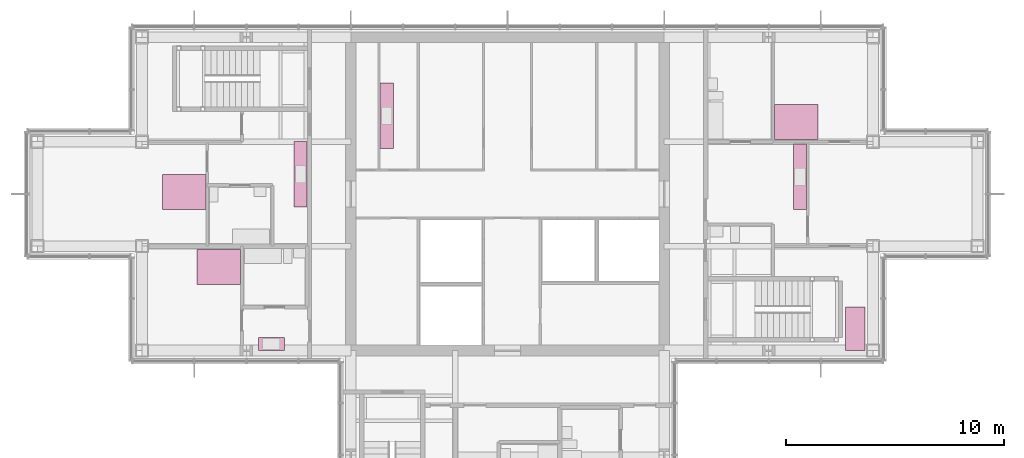
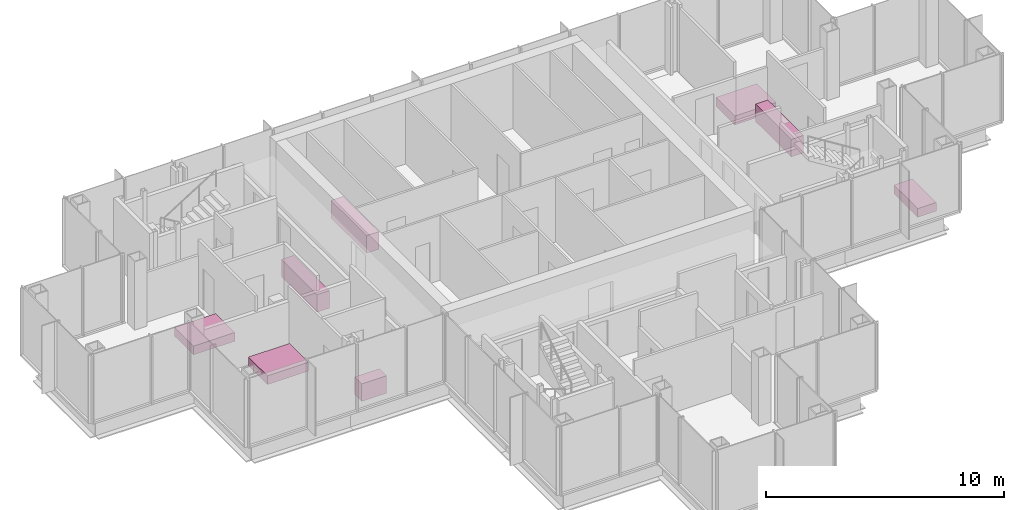
# One storey, part 15 of 15: 8 furniture elements.
"""IFC4 building model written with IfcOpenShell, lengths in metres."""

import ifcopenshell
import ifcopenshell.guid

model = None  # the IFC model being written
_history = None  # IfcOwnerHistory: only IFC2X3 demands one
_inside = {}  # id of a spatial element -> (the spatial element, [elements in it])
_under = {}  # id of a project, library or spatial element -> (it, [spatial elements below it])
_declared = {}  # id of a project -> (the project, [libraries it declares])
_typed = {}  # id of a type object -> (the type object, [elements of that type])
_made_of = {}  # id of a material, layer set ... -> (it, [elements and type objects made of it])


def new_model(schema):
    """Start an empty IFC model of exactly this schema.

    Asked for "IFC4X3", IfcOpenShell would pick the latest addendum, in which some entities
    have other attributes; the version numbers below select the first issue.
    IFC2X3 requires an IfcOwnerHistory on every rooted entity: one is made here for all.
    """
    global model, _history
    if schema == "IFC4X3":
        model = ifcopenshell.file(schema_version=(4, 3, 0, 0))
    else:
        model = ifcopenshell.file(schema=schema)
    _inside.clear()
    _under.clear()
    _declared.clear()
    _typed.clear()
    _made_of.clear()
    _history = None
    if model.schema == "IFC2X3":
        org = make("IfcOrganization", Name="unknown")
        user = make(
            "IfcPersonAndOrganization",
            ThePerson=make("IfcPerson", FamilyName="unknown"),
            TheOrganization=org,
        )
        app = make(
            "IfcApplication",
            ApplicationDeveloper=org,
            Version="unknown",
            ApplicationFullName="unknown",
            ApplicationIdentifier="unknown",
        )
        _history = make(
            "IfcOwnerHistory",
            OwningUser=user,
            OwningApplication=app,
            ChangeAction="ADDED",
            CreationDate=0,
        )
    return model


def make(cls, **values):
    """One entity of the class cls with the attributes given. An attribute that is None is left unset."""
    return model.create_entity(
        cls, **{name: value for name, value in values.items() if value is not None}
    )


def rooted(cls, **values):
    """An entity with a GlobalId (a new one), such as an element, a storey or a relation."""
    return make(cls, GlobalId=ifcopenshell.guid.new(), OwnerHistory=_history, **values)


def si_unit(unit_type, name, prefix=None):
    """IfcSIUnit, for example si_unit("LENGTHUNIT", "METRE", prefix="MILLI")."""
    return make("IfcSIUnit", UnitType=unit_type, Prefix=prefix, Name=name)


def assignment(units):
    """IfcUnitAssignment: the units of a project."""
    return None if units is None else make("IfcUnitAssignment", Units=units)


def point(xyz):
    """IfcCartesianPoint."""
    return None if xyz is None else make("IfcCartesianPoint", Coordinates=xyz)


def direction(xyz):
    """IfcDirection."""
    return None if xyz is None else make("IfcDirection", DirectionRatios=xyz)


def frame(location, z_axis=None, x_axis=None):
    """IfcAxis2Placement3D, a coordinate frame: its origin and axes. An axis left out is left unset."""
    return make(
        "IfcAxis2Placement3D",
        Location=point(location),
        Axis=direction(z_axis),
        RefDirection=direction(x_axis),
    )


def frame_2d(location, x_axis=None):
    """IfcAxis2Placement2D, a coordinate frame in the plane: its origin and x axis."""
    return make(
        "IfcAxis2Placement2D", Location=point(location), RefDirection=direction(x_axis)
    )


def origin():
    """The frame at (0, 0, 0) with its axes left unset."""
    return frame((0.0, 0.0, 0.0))


def origin_2d():
    """The frame at (0, 0) in the plane with its x axis left unset."""
    return frame_2d((0.0, 0.0))


def place(relative_to, where):
    """IfcLocalPlacement: puts the frame where relative to a parent placement (None: the world)."""
    return make(
        "IfcLocalPlacement", PlacementRelTo=relative_to, RelativePlacement=where
    )


def context(
    kind, dimensions, precision=None, world=None, true_north=None, identifier=None
):
    """IfcGeometricRepresentationContext, for example the 3D "Model" context."""
    return make(
        "IfcGeometricRepresentationContext",
        ContextIdentifier=identifier,
        ContextType=kind,
        CoordinateSpaceDimension=dimensions,
        Precision=precision,
        WorldCoordinateSystem=world,
        TrueNorth=true_north,
    )


def subcontext(parent, identifier, kind, view, scale=None):
    """IfcGeometricRepresentationSubContext, for example "Body" below "Model"."""
    return make(
        "IfcGeometricRepresentationSubContext",
        ContextIdentifier=identifier,
        ContextType=kind,
        ParentContext=parent,
        TargetScale=scale,
        TargetView=view,
    )


def project(units=None, contexts=None):
    """IfcProject with its units and contexts."""
    return rooted(
        "IfcProject",
        Name="project",
        RepresentationContexts=contexts,
        UnitsInContext=assignment(units),
    )


def spatial(cls, under=None, at=None, **own):
    """A site, building, storey or space (cls), placed at a placement, below another one or the project."""
    s = rooted(cls, ObjectPlacement=at, **own)
    if under is not None:
        _under.setdefault(under.id(), (under, []))[1].append(s)
    return s


def profile(cls, at=None, kind="AREA", **sizes):
    """A parametric profile (cls). Its sizes go by their IFC names, for example OverallWidth=200.0."""
    return make(cls, ProfileType=kind, Position=at, **sizes)


def rectangle(**sizes):
    """IfcRectangleProfileDef."""
    return profile("IfcRectangleProfileDef", **sizes)


def extrude(swept, where, along, depth):
    """IfcExtrudedAreaSolid: the profile swept, set in the frame where, extruded along a direction by depth."""
    return make(
        "IfcExtrudedAreaSolid",
        SweptArea=swept,
        Position=where,
        ExtrudedDirection=direction(along),
        Depth=depth,
    )


def shape(context_of_items, identifier, shape_type, items):
    """IfcShapeRepresentation: the items that make up one representation, for example the "Body"."""
    return make(
        "IfcShapeRepresentation",
        ContextOfItems=context_of_items,
        RepresentationIdentifier=identifier,
        RepresentationType=shape_type,
        Items=items,
    )


def material(Name=None, Category=None):
    """IfcMaterial."""
    return make("IfcMaterial", Name=Name, Category=Category)


def made_of(thing, what):
    """Note that an element or type object is made of a material, layer set ...; save() writes the relation."""
    if what is not None:
        _made_of.setdefault(what.id(), (what, []))[1].append(thing)
    return thing


def type_object(cls, material=None, **own):
    """A type object (cls), such as IfcWallType, which elements share."""
    return made_of(rooted(cls, **own), material)


def element(
    cls,
    number,
    at=None,
    inside=None,
    cuts=None,
    type_object=None,
    material=None,
    context=None,
    identifier="Body",
    shape_type=None,
    held_by="IfcProductDefinitionShape",
    body=None,
    shapes=None,
    **own,
):
    """One element of the class cls, such as IfcWall. Its Tag is "e" and its number.

    at: its placement. inside: the storey or other place that contains it. cuts: it is an
    opening in that element (IfcRelVoidsElement). A single representation is given by context,
    identifier, shape_type and body (its items); several are given by shapes. held_by: the class
    of the entity that holds the representations. save() writes the other relations.
    """
    e = rooted(cls, Tag="e%d" % number, ObjectPlacement=at, **own)
    if body is not None:
        shapes = [shape(context, identifier, shape_type, body)]
    if shapes is not None:
        e.Representation = make(held_by, Representations=shapes)
    if inside is not None:
        _inside.setdefault(inside.id(), (inside, []))[1].append(e)
    if cuts is not None:
        rooted(
            "IfcRelVoidsElement", RelatingBuildingElement=cuts, RelatedOpeningElement=e
        )
    if type_object is not None:
        _typed.setdefault(type_object.id(), (type_object, []))[1].append(e)
    return made_of(e, material)


def aggregate(whole, parts):
    """IfcRelAggregates: a whole, such as a stair, and the parts it consists of."""
    return rooted("IfcRelAggregates", RelatingObject=whole, RelatedObjects=parts)


def save(model, path):
    """Write the relations noted so far, then the file.

    IfcRelAggregates (storeys below a building ...), IfcRelContainedInSpatialStructure (elements
    in a storey), IfcRelDefinesByType, IfcRelAssociatesMaterial and IfcRelDeclares: one each for
    every whole, place, type object, material and project.
    """
    for whole, parts in _under.values():
        aggregate(whole, parts)
    for where, things in _inside.values():
        rooted(
            "IfcRelContainedInSpatialStructure",
            RelatedElements=things,
            RelatingStructure=where,
        )
    for kind, things in _typed.values():
        rooted("IfcRelDefinesByType", RelatedObjects=things, RelatingType=kind)
    for what, things in _made_of.values():
        rooted("IfcRelAssociatesMaterial", RelatedObjects=things, RelatingMaterial=what)
    for by, libraries in _declared.values():
        rooted("IfcRelDeclares", RelatingContext=by, RelatedDefinitions=libraries)
    model.write(path)


model = new_model("IFC4")

# Units and contexts
model_context = context("Model", 3, precision=1e-05, world=origin(), true_north=direction((0.0, 1.0)))
body_context = subcontext(model_context, "Body", "Model", "MODEL_VIEW")
ifc_project = project(units=[si_unit("LENGTHUNIT", "METRE"), si_unit("AREAUNIT", "SQUARE_METRE"), si_unit("VOLUMEUNIT", "CUBIC_METRE"), si_unit("PLANEANGLEUNIT", "RADIAN"), si_unit("MASSUNIT", "GRAM", prefix="KILO")], contexts=[model_context])

# Site, building, storey
site_placement = place(None, origin())
site = spatial("IfcSite", under=ifc_project, at=site_placement, CompositionType="ELEMENT")
building_placement = place(site_placement, origin())
building = spatial("IfcBuilding", under=site, at=building_placement, Name="Kvirike Care Tower", CompositionType="ELEMENT")
storey_placement = place(building_placement, frame((0.0, 0.0, 208.5)))
storey = spatial("IfcBuildingStorey", under=building, at=storey_placement, Name="L57", CompositionType="ELEMENT", Elevation=208.5)

# Furniture
ifc_material_1 = material(Name="Timber", Category="wood")
furniture_type_1 = type_object("IfcFurnitureType", Name="DOUBLE BED 1600 x 2000", AssemblyPlace="FACTORY", PredefinedType="BED", material=ifc_material_1)
for number, where, z_axis, x_axis, name in (
    (1, (6.738037109375, 36.090087890625, 0.0), (0.0, 0.0, 1.0), (0.0, -1.0, 0.0), "Double bed L57-004"),
    (2, (8.337890625, 32.64990234375, 0.0), (0.0, 0.0, 1.0), (0.0, -1.0, 0.0), "Double bed L57-007"),
    (3, (34.862060546875, 39.31005859375, 0.0), (0.0, 0.0, 1.0), (0.0, 1.0, 0.0), "Double bed L57-023"),
):
    element("IfcFurniture", number, at=place(storey_placement, frame(where, z_axis=z_axis, x_axis=x_axis)), inside=storey, type_object=furniture_type_1, Name=name, PredefinedType="BED", context=body_context, shape_type="SweptSolid", body=[
        extrude(rectangle(XDim=1.60009765625, YDim=2.0, at=origin_2d()), origin(), (0.0, 0.0, 1.0), 0.449951171875),
    ])
ifc_material_2 = material(Name="Laminated board", Category="wood")
furniture_type_2 = type_object("IfcFurnitureType", Name="KITCHEN UNIT RUN 600", AssemblyPlace="FACTORY", PredefinedType="USERDEFINED", material=ifc_material_2)
furniture_1_placement = place(storey_placement, frame((12.097900390625, 36.89990234375, 0.0), z_axis=(0.0, 0.0, 1.0), x_axis=(0.0, -1.0, 0.0)))
element("IfcFurniture", 4, at=furniture_1_placement, inside=storey, type_object=furniture_type_2, Name="Kitchen unit run L57-006", ObjectType="KITCHEN UNIT", PredefinedType="USERDEFINED", context=body_context, shape_type="SweptSolid", body=[
    extrude(rectangle(XDim=3.0, YDim=0.60009765625, at=origin_2d()), origin(), (0.0, 0.0, 1.0), 0.89990234375),
])
furniture_2_placement = place(storey_placement, frame((10.75, 29.10205078125, 0.0), z_axis=(0.0, 0.0, 1.0), x_axis=(-1.0, 0.0, 0.0)))
element("IfcFurniture", 5, at=furniture_2_placement, inside=storey, type_object=furniture_type_2, Name="Kitchen unit run L57-009", ObjectType="KITCHEN UNIT", PredefinedType="USERDEFINED", context=body_context, shape_type="SweptSolid", body=[
    extrude(rectangle(XDim=1.199951171875, YDim=0.60009765625, at=origin_2d()), origin(), (0.0, 0.0, 1.0), 0.89990234375),
])
for number, where, z_axis, x_axis, name in (
    (6, (35.0380859375, 36.7900390625, 0.0), (0.0, 0.0, 1.0), (0.0, -1.0, 0.0), "Kitchen unit run L57-026"),
    (7, (16.052001953125, 39.60009765625, 0.0), (0.0, 0.0, 1.0), (0.0, 1.0, 0.0), "Kitchen unit run L57-033"),
):
    element("IfcFurniture", number, at=place(storey_placement, frame(where, z_axis=z_axis, x_axis=x_axis)), inside=storey, type_object=furniture_type_2, Name=name, ObjectType="KITCHEN UNIT", PredefinedType="USERDEFINED", context=body_context, shape_type="SweptSolid", body=[
        extrude(rectangle(XDim=3.0, YDim=0.60009765625, at=origin_2d()), origin(), (0.0, 0.0, 1.0), 0.89990234375),
    ])
ifc_material_3 = material(Name="Timber", Category="wood")
furniture_type_3 = type_object("IfcFurnitureType", Name="SINGLE BED 900 x 2000", AssemblyPlace="FACTORY", PredefinedType="BED", material=ifc_material_3)
furniture_3_placement = place(storey_placement, frame((37.580078125, 29.802001953125, 0.0), z_axis=(0.0, 0.0, 1.0), x_axis=(-1.0, 0.0, 0.0)))
element("IfcFurniture", 8, at=furniture_3_placement, inside=storey, type_object=furniture_type_3, Name="Single bed L57-021", PredefinedType="BED", context=body_context, shape_type="SweptSolid", body=[
    extrude(rectangle(XDim=0.89990234375, YDim=2.0, at=origin_2d()), origin(), (0.0, 0.0, 1.0), 0.449951171875),
])

save(model, "model.ifc")
